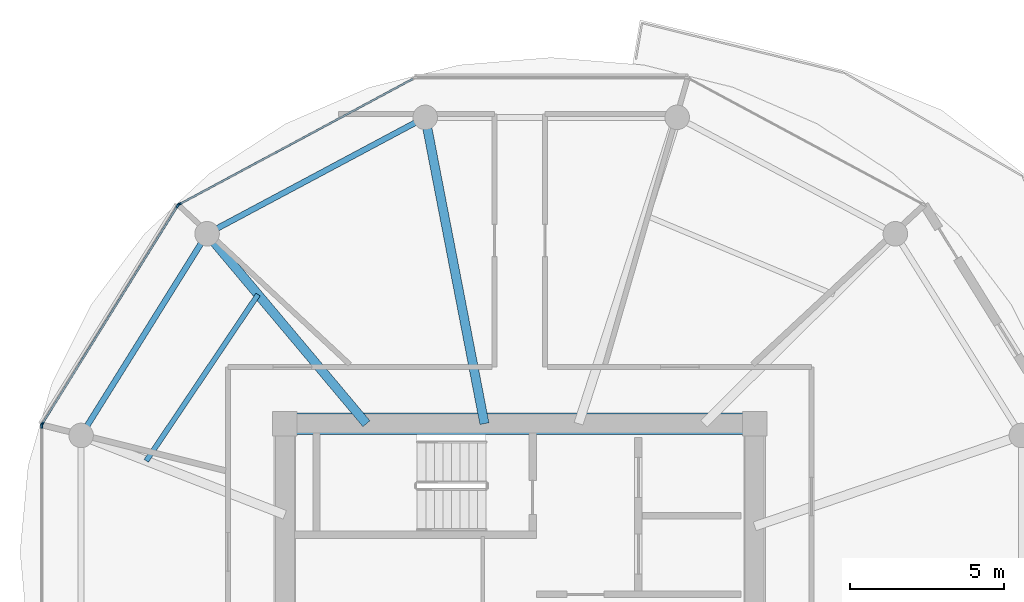
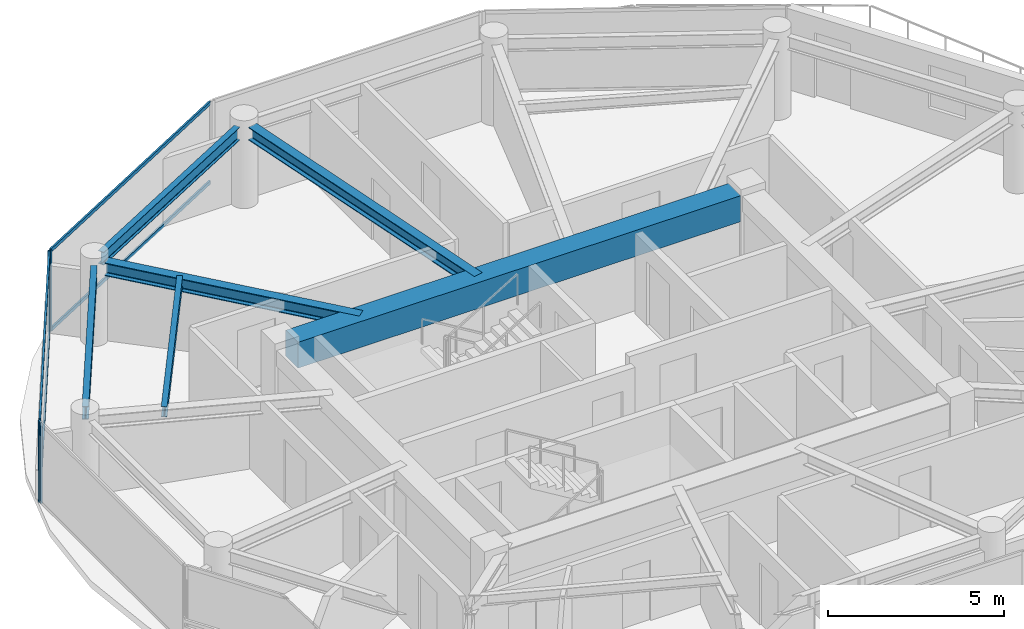
# One storey, part 4 of 22: 8 members, 6 beams, 3 elements without a shape of their own.
"""IFC4 building model written with IfcOpenShell, lengths in metres."""

import ifcopenshell
import ifcopenshell.guid

model = None  # the IFC model being written
_history = None  # IfcOwnerHistory: only IFC2X3 demands one
_inside = {}  # id of a spatial element -> (the spatial element, [elements in it])
_under = {}  # id of a project, library or spatial element -> (it, [spatial elements below it])
_declared = {}  # id of a project -> (the project, [libraries it declares])
_typed = {}  # id of a type object -> (the type object, [elements of that type])
_made_of = {}  # id of a material, layer set ... -> (it, [elements and type objects made of it])


def new_model(schema):
    """Start an empty IFC model of exactly this schema.

    Asked for "IFC4X3", IfcOpenShell would pick the latest addendum, in which some entities
    have other attributes; the version numbers below select the first issue.
    IFC2X3 requires an IfcOwnerHistory on every rooted entity: one is made here for all.
    """
    global model, _history
    if schema == "IFC4X3":
        model = ifcopenshell.file(schema_version=(4, 3, 0, 0))
    else:
        model = ifcopenshell.file(schema=schema)
    _inside.clear()
    _under.clear()
    _declared.clear()
    _typed.clear()
    _made_of.clear()
    _history = None
    if model.schema == "IFC2X3":
        org = make("IfcOrganization", Name="unknown")
        user = make(
            "IfcPersonAndOrganization",
            ThePerson=make("IfcPerson", FamilyName="unknown"),
            TheOrganization=org,
        )
        app = make(
            "IfcApplication",
            ApplicationDeveloper=org,
            Version="unknown",
            ApplicationFullName="unknown",
            ApplicationIdentifier="unknown",
        )
        _history = make(
            "IfcOwnerHistory",
            OwningUser=user,
            OwningApplication=app,
            ChangeAction="ADDED",
            CreationDate=0,
        )
    return model


def make(cls, **values):
    """One entity of the class cls with the attributes given. An attribute that is None is left unset."""
    return model.create_entity(
        cls, **{name: value for name, value in values.items() if value is not None}
    )


def rooted(cls, **values):
    """An entity with a GlobalId (a new one), such as an element, a storey or a relation."""
    return make(cls, GlobalId=ifcopenshell.guid.new(), OwnerHistory=_history, **values)


def si_unit(unit_type, name, prefix=None):
    """IfcSIUnit, for example si_unit("LENGTHUNIT", "METRE", prefix="MILLI")."""
    return make("IfcSIUnit", UnitType=unit_type, Prefix=prefix, Name=name)


def assignment(units):
    """IfcUnitAssignment: the units of a project."""
    return None if units is None else make("IfcUnitAssignment", Units=units)


def point(xyz):
    """IfcCartesianPoint."""
    return None if xyz is None else make("IfcCartesianPoint", Coordinates=xyz)


def direction(xyz):
    """IfcDirection."""
    return None if xyz is None else make("IfcDirection", DirectionRatios=xyz)


def frame(location, z_axis=None, x_axis=None):
    """IfcAxis2Placement3D, a coordinate frame: its origin and axes. An axis left out is left unset."""
    return make(
        "IfcAxis2Placement3D",
        Location=point(location),
        Axis=direction(z_axis),
        RefDirection=direction(x_axis),
    )


def frame_2d(location, x_axis=None):
    """IfcAxis2Placement2D, a coordinate frame in the plane: its origin and x axis."""
    return make(
        "IfcAxis2Placement2D", Location=point(location), RefDirection=direction(x_axis)
    )


def origin():
    """The frame at (0, 0, 0) with its axes left unset."""
    return frame((0.0, 0.0, 0.0))


def origin_2d():
    """The frame at (0, 0) in the plane with its x axis left unset."""
    return frame_2d((0.0, 0.0))


def place(relative_to, where):
    """IfcLocalPlacement: puts the frame where relative to a parent placement (None: the world)."""
    return make(
        "IfcLocalPlacement", PlacementRelTo=relative_to, RelativePlacement=where
    )


def context(
    kind, dimensions, precision=None, world=None, true_north=None, identifier=None
):
    """IfcGeometricRepresentationContext, for example the 3D "Model" context."""
    return make(
        "IfcGeometricRepresentationContext",
        ContextIdentifier=identifier,
        ContextType=kind,
        CoordinateSpaceDimension=dimensions,
        Precision=precision,
        WorldCoordinateSystem=world,
        TrueNorth=true_north,
    )


def subcontext(parent, identifier, kind, view, scale=None):
    """IfcGeometricRepresentationSubContext, for example "Body" below "Model"."""
    return make(
        "IfcGeometricRepresentationSubContext",
        ContextIdentifier=identifier,
        ContextType=kind,
        ParentContext=parent,
        TargetScale=scale,
        TargetView=view,
    )


def project(units=None, contexts=None):
    """IfcProject with its units and contexts."""
    return rooted(
        "IfcProject",
        Name="project",
        RepresentationContexts=contexts,
        UnitsInContext=assignment(units),
    )


def spatial(cls, under=None, at=None, **own):
    """A site, building, storey or space (cls), placed at a placement, below another one or the project."""
    s = rooted(cls, ObjectPlacement=at, **own)
    if under is not None:
        _under.setdefault(under.id(), (under, []))[1].append(s)
    return s


def profile(cls, at=None, kind="AREA", **sizes):
    """A parametric profile (cls). Its sizes go by their IFC names, for example OverallWidth=200.0."""
    return make(cls, ProfileType=kind, Position=at, **sizes)


def rectangle(**sizes):
    """IfcRectangleProfileDef."""
    return profile("IfcRectangleProfileDef", **sizes)


def i_section(**sizes):
    """IfcIShapeProfileDef."""
    return profile("IfcIShapeProfileDef", **sizes)


def extrude(swept, where, along, depth):
    """IfcExtrudedAreaSolid: the profile swept, set in the frame where, extruded along a direction by depth."""
    return make(
        "IfcExtrudedAreaSolid",
        SweptArea=swept,
        Position=where,
        ExtrudedDirection=direction(along),
        Depth=depth,
    )


def shape(context_of_items, identifier, shape_type, items):
    """IfcShapeRepresentation: the items that make up one representation, for example the "Body"."""
    return make(
        "IfcShapeRepresentation",
        ContextOfItems=context_of_items,
        RepresentationIdentifier=identifier,
        RepresentationType=shape_type,
        Items=items,
    )


def source(mapping_origin, context_of_items, identifier, shape_type, items):
    """IfcRepresentationMap: a shape defined once, which mapped items show again and again."""
    return make(
        "IfcRepresentationMap",
        MappingOrigin=mapping_origin,
        MappedRepresentation=shape(context_of_items, identifier, shape_type, items),
    )


def transform(
    local_origin,
    x_axis=None,
    y_axis=None,
    z_axis=None,
    scale=None,
    scale2=None,
    scale3=None,
    uniform=True,
):
    """IfcCartesianTransformationOperator3D, or its non-uniform kind. x_axis, y_axis, z_axis: its Axis1, 2, 3."""
    if uniform:
        return make(
            "IfcCartesianTransformationOperator3D",
            Axis1=direction(x_axis),
            Axis2=direction(y_axis),
            LocalOrigin=point(local_origin),
            Scale=scale,
            Axis3=direction(z_axis),
        )
    return make(
        "IfcCartesianTransformationOperator3DnonUniform",
        Axis1=direction(x_axis),
        Axis2=direction(y_axis),
        LocalOrigin=point(local_origin),
        Scale=scale,
        Axis3=direction(z_axis),
        Scale2=scale2,
        Scale3=scale3,
    )


def mapped(mapping_source, mapping_target):
    """IfcMappedItem: shows the shape of a source again, moved by a transform."""
    return make(
        "IfcMappedItem", MappingSource=mapping_source, MappingTarget=mapping_target
    )


def material(Name=None, Category=None):
    """IfcMaterial."""
    return make("IfcMaterial", Name=Name, Category=Category)


def layer(
    of_material, thickness, ventilated=None, Name=None, Category=None, Priority=None
):
    """IfcMaterialLayer: one layer of a wall or slab, of a material (None: an air gap)."""
    return make(
        "IfcMaterialLayer",
        Material=of_material,
        LayerThickness=thickness,
        IsVentilated=ventilated,
        Name=Name,
        Category=Category,
        Priority=Priority,
    )


def layer_set(layers, Name=None):
    """IfcMaterialLayerSet."""
    return make("IfcMaterialLayerSet", MaterialLayers=layers, LayerSetName=Name)


def material_profile(
    of_material, cross_section, Name=None, Category=None, Priority=None
):
    """IfcMaterialProfile: a cross section and its material."""
    return make(
        "IfcMaterialProfile",
        Name=Name,
        Material=of_material,
        Profile=cross_section,
        Priority=Priority,
        Category=Category,
    )


def profile_set(profiles, Name=None, composite=None):
    """IfcMaterialProfileSet."""
    return make(
        "IfcMaterialProfileSet",
        Name=Name,
        MaterialProfiles=profiles,
        CompositeProfile=composite,
    )


def made_of(thing, what):
    """Note that an element or type object is made of a material, layer set ...; save() writes the relation."""
    if what is not None:
        _made_of.setdefault(what.id(), (what, []))[1].append(thing)
    return thing


def type_object(cls, material=None, **own):
    """A type object (cls), such as IfcWallType, which elements share."""
    return made_of(rooted(cls, **own), material)


def type_shapes(of_type, sources):
    """Give a type object the sources (RepresentationMaps) that its elements show as mapped items."""
    of_type.RepresentationMaps = sources


def element(
    cls,
    number,
    at=None,
    inside=None,
    cuts=None,
    type_object=None,
    material=None,
    context=None,
    identifier="Body",
    shape_type=None,
    held_by="IfcProductDefinitionShape",
    body=None,
    shapes=None,
    **own,
):
    """One element of the class cls, such as IfcWall. Its Tag is "e" and its number.

    at: its placement. inside: the storey or other place that contains it. cuts: it is an
    opening in that element (IfcRelVoidsElement). A single representation is given by context,
    identifier, shape_type and body (its items); several are given by shapes. held_by: the class
    of the entity that holds the representations. save() writes the other relations.
    """
    e = rooted(cls, Tag="e%d" % number, ObjectPlacement=at, **own)
    if body is not None:
        shapes = [shape(context, identifier, shape_type, body)]
    if shapes is not None:
        e.Representation = make(held_by, Representations=shapes)
    if inside is not None:
        _inside.setdefault(inside.id(), (inside, []))[1].append(e)
    if cuts is not None:
        rooted(
            "IfcRelVoidsElement", RelatingBuildingElement=cuts, RelatedOpeningElement=e
        )
    if type_object is not None:
        _typed.setdefault(type_object.id(), (type_object, []))[1].append(e)
    return made_of(e, material)


def aggregate(whole, parts):
    """IfcRelAggregates: a whole, such as a stair, and the parts it consists of."""
    return rooted("IfcRelAggregates", RelatingObject=whole, RelatedObjects=parts)


def save(model, path):
    """Write the relations noted so far, then the file.

    IfcRelAggregates (storeys below a building ...), IfcRelContainedInSpatialStructure (elements
    in a storey), IfcRelDefinesByType, IfcRelAssociatesMaterial and IfcRelDeclares: one each for
    every whole, place, type object, material and project.
    """
    for whole, parts in _under.values():
        aggregate(whole, parts)
    for where, things in _inside.values():
        rooted(
            "IfcRelContainedInSpatialStructure",
            RelatedElements=things,
            RelatingStructure=where,
        )
    for kind, things in _typed.values():
        rooted("IfcRelDefinesByType", RelatedObjects=things, RelatingType=kind)
    for what, things in _made_of.values():
        rooted("IfcRelAssociatesMaterial", RelatedObjects=things, RelatingMaterial=what)
    for by, libraries in _declared.values():
        rooted("IfcRelDeclares", RelatingContext=by, RelatedDefinitions=libraries)
    model.write(path)


model = new_model("IFC4")

# Units and contexts
model_context = context("Model", 3, precision=1e-05, world=origin(), true_north=direction((0.0, 1.0)))
body_context = subcontext(model_context, "Body", "Model", "MODEL_VIEW")
ifc_project = project(units=[si_unit("LENGTHUNIT", "METRE"), si_unit("AREAUNIT", "SQUARE_METRE"), si_unit("VOLUMEUNIT", "CUBIC_METRE"), si_unit("PLANEANGLEUNIT", "RADIAN"), si_unit("MASSUNIT", "GRAM", prefix="KILO")], contexts=[model_context])

# Site, building, storey
site_placement = place(None, origin())
site = spatial("IfcSite", under=ifc_project, at=site_placement, CompositionType="ELEMENT")
building_placement = place(site_placement, origin())
building = spatial("IfcBuilding", under=site, at=building_placement, Name="Norrkilde Senior Care Towers", CompositionType="ELEMENT")
storey_placement = place(building_placement, frame((0.0, 0.0, 137.35009765625)))
storey = spatial("IfcBuildingStorey", under=building, at=storey_placement, Name="L42", CompositionType="ELEMENT", Elevation=137.35009765625)

# Beams
ifc_material_1 = material(Name="Concrete C60/75", Category="concrete")
ifc_material_profile_1 = material_profile(ifc_material_1, rectangle(XDim=0.699951171875, YDim=0.89990234375, at=origin_2d()), Name="RC BM 700x900")
ifc_profile_set_1 = profile_set([ifc_material_profile_1], Name="Concrete C60/75")
beam_type_1 = type_object("IfcBeamType", Name="Core Coupling Girder 700x900", PredefinedType="USERDEFINED", material=ifc_profile_set_1)
shared_shape_1 = source(origin(), body_context, "Body", "SweptSolid", [
    extrude(rectangle(XDim=0.699951171875, YDim=0.89990234375, at=origin_2d()), origin(), (0.0, 0.0, 1.0), 14.5400390625),
])
type_shapes(beam_type_1, [shared_shape_1])
beam_1_placement = place(storey_placement, frame((-35.27001953125, 5.949951171875, 2.35986328125), z_axis=(1.0, 0.0, 0.0), x_axis=(0.0, 1.0, 0.0)))
element("IfcBeam", 1, at=beam_1_placement, inside=storey, type_object=beam_type_1, Name="L42 Core W N Coupling Girder", ObjectType="GIRDER", PredefinedType="USERDEFINED", context=body_context, shape_type="MappedRepresentation", body=[
    mapped(shared_shape_1, transform((0.0, 0.0, 0.0), x_axis=(1.0, 0.0, 0.0), y_axis=(0.0, 1.0, 0.0), z_axis=(0.0, 0.0, 1.0), scale=1.0)),
])
ifc_material_2 = material(Name="Steel S355", Category="steel")
ifc_material_profile_2 = material_profile(ifc_material_2, i_section(OverallWidth=0.18994140625, OverallDepth=0.449951171875, WebThickness=0.009521484375, FlangeThickness=0.0146484375, FilletRadius=0.02099609375, at=origin_2d()), Name="IPE 450")
ifc_profile_set_2 = profile_set([ifc_material_profile_2], Name="Steel S355")
beam_type_2 = type_object("IfcBeamType", Name="Perimeter Ring Spandrel Z3 IPE450", PredefinedType="SPANDREL", material=ifc_profile_set_2)
shared_shape_2 = source(origin(), body_context, "Body", "SweptSolid", [
    extrude(i_section(OverallWidth=0.18994140625, OverallDepth=0.449951171875, WebThickness=0.009521484375, FlangeThickness=0.0146484375, FilletRadius=0.02099609375, at=origin_2d()), origin(), (0.0, 0.0, 1.0), 7.0234375),
])
beam_2_placement = place(storey_placement, frame((-38.373291015625, 11.8291015625, 2.5849609375), z_axis=(-0.529789577822, -0.848129119433, 0.0), x_axis=(0.848129119433, -0.529789577822, 0.0)))
element("IfcBeam", 2, at=beam_2_placement, inside=storey, type_object=beam_type_2, Name="L42 Drum W Perimeter Spandrel 05", PredefinedType="SPANDREL", context=body_context, shape_type="MappedRepresentation", body=[
    mapped(shared_shape_2, transform((0.0, 0.0, 0.0), x_axis=(1.0, 0.0, 0.0), y_axis=(0.0, 1.0, 0.0), z_axis=(0.0, 0.0, 1.0), scale=1.0)),
])
shared_shape_3 = source(origin(), body_context, "Body", "SweptSolid", [
    extrude(i_section(OverallWidth=0.18994140625, OverallDepth=0.449951171875, WebThickness=0.009521484375, FlangeThickness=0.0146484375, FilletRadius=0.02099609375, at=origin_2d()), origin(), (0.0, 0.0, 1.0), 7.333740234375),
])
type_shapes(beam_type_2, [shared_shape_2, shared_shape_3])
beam_3_placement = place(storey_placement, frame((-31.394775390625, 15.756591796875, 2.5849609375), z_axis=(-0.882247866069, -0.470785198172, 0.0), x_axis=(0.470785198172, -0.882247866069, 0.0)))
element("IfcBeam", 3, at=beam_3_placement, inside=storey, type_object=beam_type_2, Name="L42 Drum W Perimeter Spandrel 04", PredefinedType="SPANDREL", context=body_context, shape_type="MappedRepresentation", body=[
    mapped(shared_shape_3, transform((0.0, 0.0, 0.0), x_axis=(1.0, 0.0, 0.0), y_axis=(0.0, 1.0, 0.0), z_axis=(0.0, 0.0, 1.0), scale=1.0)),
])
ifc_material_profile_3 = material_profile(ifc_material_2, i_section(OverallWidth=0.300048828125, OverallDepth=0.449951171875, WebThickness=0.013916015625, FlangeThickness=0.02587890625, FilletRadius=0.027099609375, at=origin_2d()), Name="HEB 450")
ifc_profile_set_3 = profile_set([ifc_material_profile_3], Name="Steel S355")
beam_type_3 = type_object("IfcBeamType", Name="Radial Floor Beam Z3 HEB450", PredefinedType="BEAM", material=ifc_profile_set_3)
shared_shape_4 = source(origin(), body_context, "Body", "SweptSolid", [
    extrude(i_section(OverallWidth=0.300048828125, OverallDepth=0.449951171875, WebThickness=0.013916015625, FlangeThickness=0.02587890625, FilletRadius=0.027099609375, at=origin_2d()), origin(), (0.0, 0.0, 1.0), 9.80078125),
])
beam_4_placement = place(storey_placement, frame((-29.149658203125, 5.949951171875, 2.5849609375), z_axis=(-0.189716727661, 0.98183886827, 0.0), x_axis=(-0.98183886827, -0.189716727661, 0.0)))
element("IfcBeam", 4, at=beam_4_placement, inside=storey, type_object=beam_type_3, Name="L42 Drum W Radial Floor Beam 04", PredefinedType="BEAM", context=body_context, shape_type="MappedRepresentation", body=[
    mapped(shared_shape_4, transform((0.0, 0.0, 0.0), x_axis=(1.0, 0.0, 0.0), y_axis=(0.0, 1.0, 0.0), z_axis=(0.0, 0.0, 1.0), scale=1.0)),
])
shared_shape_5 = source(origin(), body_context, "Body", "SweptSolid", [
    extrude(i_section(OverallWidth=0.300048828125, OverallDepth=0.449951171875, WebThickness=0.013916015625, FlangeThickness=0.02587890625, FilletRadius=0.027099609375, at=origin_2d()), origin(), (0.0, 0.0, 1.0), 7.71337890625),
])
type_shapes(beam_type_3, [shared_shape_4, shared_shape_5])
beam_5_placement = place(storey_placement, frame((-32.992919921875, 5.949951171875, 2.5849609375), z_axis=(-0.642808239864, 0.766027131872, 0.0), x_axis=(-0.766027131872, -0.642808239864, 0.0)))
element("IfcBeam", 5, at=beam_5_placement, inside=storey, type_object=beam_type_3, Name="L42 Drum W Radial Floor Beam 05", PredefinedType="BEAM", context=body_context, shape_type="MappedRepresentation", body=[
    mapped(shared_shape_5, transform((0.0, 0.0, 0.0), x_axis=(1.0, 0.0, 0.0), y_axis=(0.0, 1.0, 0.0), z_axis=(0.0, 0.0, 1.0), scale=1.0)),
])
ifc_material_profile_4 = material_profile(ifc_material_2, i_section(OverallWidth=0.169921875, OverallDepth=0.360107421875, WebThickness=0.008056640625, FlangeThickness=0.0126953125, FilletRadius=0.01806640625, at=origin_2d()), Name="IPE 360")
ifc_profile_set_4 = profile_set([ifc_material_profile_4], Name="Steel S355")
beam_type_4 = type_object("IfcBeamType", Name="Secondary Floor Joist IPE360", PredefinedType="JOIST", material=ifc_profile_set_4)
shared_shape_6 = source(origin(), body_context, "Body", "SweptSolid", [
    extrude(i_section(OverallWidth=0.169921875, OverallDepth=0.360107421875, WebThickness=0.008056640625, FlangeThickness=0.0126953125, FilletRadius=0.01806640625, at=origin_2d()), origin(), (0.0, 0.0, 1.0), 6.525390625),
])
type_shapes(beam_type_4, [shared_shape_6])
beam_6_placement = place(storey_placement, frame((-36.52197265625, 10.155517578125, 2.6298828125), z_axis=(-0.55779590102, -0.829978152005, 0.0), x_axis=(0.829978152005, -0.55779590102, 0.0)))
element("IfcBeam", 6, at=beam_6_placement, inside=storey, type_object=beam_type_4, Name="L42 Drum W Secondary Floor Joist 2", PredefinedType="JOIST", context=body_context, shape_type="MappedRepresentation", body=[
    mapped(shared_shape_6, transform((0.0, 0.0, 0.0), x_axis=(1.0, 0.0, 0.0), y_axis=(0.0, 1.0, 0.0), z_axis=(0.0, 0.0, 1.0), scale=1.0)),
])

# Curtain wall, members
ifc_material_3 = material(Name="Triple Low-E Insulated Glazing", Category="glass")
ifc_layer = layer(ifc_material_3, 0.18994140625)
ifc_layer_set = layer_set([ifc_layer], Name="Triple Low-E Insulated Glazing")
curtain_wall_type = type_object("IfcCurtainWallType", Name="CW4 Zone 3 Senior Residence Curtain Wall", PredefinedType="NOTDEFINED", material=ifc_layer_set)
curtain_wall_1_placement = place(storey_placement, origin())
curtain_wall_1 = element("IfcCurtainWall", 7, at=curtain_wall_1_placement, inside=storey, type_object=curtain_wall_type, Name="L42 Drum W Curtain Wall 04", PredefinedType="NOTDEFINED")
ifc_material_4 = material(Name="Anodised Aluminium", Category="aluminium")
ifc_material_profile_5 = material_profile(ifc_material_4, rectangle(XDim=0.06005859375, YDim=0.1201171875, at=origin_2d()), Name="ALU TRAN 60x120")
ifc_profile_set_5 = profile_set([ifc_material_profile_5], Name="Anodised Aluminium")
member_type_1 = type_object("IfcMemberType", Name="Curtain Wall Transom Typical 60x120", PredefinedType="USERDEFINED", material=ifc_profile_set_5)
shared_shape_7 = source(origin(), body_context, "Body", "SweptSolid", [
    extrude(rectangle(XDim=0.06005859375, YDim=0.1201171875, at=origin_2d()), origin(), (0.0, 0.0, 1.0), 8.301513671875),
])
member_1_placement = place(storey_placement, frame((-43.535400390625, 5.966552734375, 0.02978515625), z_axis=(0.527368718394, 0.849636531029, 0.0), x_axis=(-0.849636531029, 0.527368718394, 0.0)))
member_1 = element("IfcMember", 8, at=member_1_placement, type_object=member_type_1, Name="CW-4 transom 1.1", ObjectType="TRANSOM", PredefinedType="USERDEFINED", context=body_context, shape_type="MappedRepresentation", body=[
    mapped(shared_shape_7, transform((0.0, 0.0, 0.0), x_axis=(1.0, 0.0, 0.0), y_axis=(0.0, 1.0, 0.0), z_axis=(0.0, 0.0, 1.0), scale=1.0)),
])
member_2_placement = place(storey_placement, frame((-43.535400390625, 5.966552734375, 2.77978515625), z_axis=(0.527368718394, 0.849636531029, 0.0), x_axis=(-0.849636531029, 0.527368718394, 0.0)))
member_2 = element("IfcMember", 9, at=member_2_placement, type_object=member_type_1, Name="CW-4 transom 1.2", ObjectType="TRANSOM", PredefinedType="USERDEFINED", context=body_context, shape_type="MappedRepresentation", body=[
    mapped(shared_shape_7, transform((0.0, 0.0, 0.0), x_axis=(1.0, 0.0, 0.0), y_axis=(0.0, 1.0, 0.0), z_axis=(0.0, 0.0, 1.0), scale=1.0)),
])

curtain_wall_2_placement = place(storey_placement, origin())
curtain_wall_2 = element("IfcCurtainWall", 10, at=curtain_wall_2_placement, inside=storey, type_object=curtain_wall_type, Name="L42 Drum W Curtain Wall 03", PredefinedType="NOTDEFINED")
shared_shape_8 = source(origin(), body_context, "Body", "SweptSolid", [
    extrude(rectangle(XDim=0.06005859375, YDim=0.1201171875, at=origin_2d()), origin(), (0.0, 0.0, 1.0), 8.612060546875),
])
type_shapes(member_type_1, [shared_shape_7, shared_shape_8])
member_3_placement = place(storey_placement, frame((-39.06591796875, 13.105712890625, 0.02978515625), z_axis=(0.881000337462, 0.473115636384, 0.0), x_axis=(-0.473115636384, 0.881000337462, 0.0)))
member_3 = element("IfcMember", 11, at=member_3_placement, type_object=member_type_1, Name="CW-4 transom 1.1", ObjectType="TRANSOM", PredefinedType="USERDEFINED", context=body_context, shape_type="MappedRepresentation", body=[
    mapped(shared_shape_8, transform((0.0, 0.0, 0.0), x_axis=(1.0, 0.0, 0.0), y_axis=(0.0, 1.0, 0.0), z_axis=(0.0, 0.0, 1.0), scale=1.0)),
])
member_4_placement = place(storey_placement, frame((-39.06591796875, 13.105712890625, 2.77978515625), z_axis=(0.881000337462, 0.473115636384, 0.0), x_axis=(-0.473115636384, 0.881000337462, 0.0)))
member_4 = element("IfcMember", 12, at=member_4_placement, type_object=member_type_1, Name="CW-4 transom 1.2", ObjectType="TRANSOM", PredefinedType="USERDEFINED", context=body_context, shape_type="MappedRepresentation", body=[
    mapped(shared_shape_8, transform((0.0, 0.0, 0.0), x_axis=(1.0, 0.0, 0.0), y_axis=(0.0, 1.0, 0.0), z_axis=(0.0, 0.0, 1.0), scale=1.0)),
])
ifc_material_profile_6 = material_profile(ifc_material_4, rectangle(XDim=0.06494140625, YDim=0.14990234375, at=origin_2d()), Name="ALU MULL 65x150")
ifc_profile_set_6 = profile_set([ifc_material_profile_6], Name="Anodised Aluminium")
member_type_2 = type_object("IfcMemberType", Name="Curtain Wall Mullion Z3-Z4 65x150", PredefinedType="MULLION", material=ifc_profile_set_6)
shared_shape_9 = source(origin(), body_context, "Body", "SweptSolid", [
    extrude(rectangle(XDim=0.06494140625, YDim=0.14990234375, at=origin_2d()), origin(), (0.0, 0.0, 1.0), 2.809814453125),
])
type_shapes(member_type_2, [shared_shape_9])
member_5_placement = place(storey_placement, frame((-39.094482421875, 13.09033203125, 0.0), z_axis=(0.0, 0.0, 1.0), x_axis=(-0.47311715104, 0.880999524059, 0.0)))
member_5 = element("IfcMember", 13, at=member_5_placement, type_object=member_type_2, Name="CW-4 mullion 1", PredefinedType="MULLION", context=body_context, shape_type="MappedRepresentation", body=[
    mapped(shared_shape_9, transform((0.0, 0.0, 0.0), x_axis=(1.0, 0.0, 0.0), y_axis=(0.0, 1.0, 0.0), z_axis=(0.0, 0.0, 1.0), scale=1.0)),
])
aggregate(curtain_wall_2, [member_5, member_3, member_4])

# Member
member_6_placement = place(storey_placement, frame((-43.552490234375, 5.93896484375, 0.0), z_axis=(0.0, 0.0, 1.0), x_axis=(-0.84963405474, 0.52737270789, 0.0)))
member_6 = element("IfcMember", 14, at=member_6_placement, type_object=member_type_2, Name="CW-4 mullion 1", PredefinedType="MULLION", context=body_context, shape_type="MappedRepresentation", body=[
    mapped(shared_shape_9, transform((0.0, 0.0, 0.0), x_axis=(1.0, 0.0, 0.0), y_axis=(0.0, 1.0, 0.0), z_axis=(0.0, 0.0, 1.0), scale=1.0)),
])

member_7_placement = place(storey_placement, frame((-39.14013671875, 13.04736328125, 0.0), z_axis=(0.0, 0.0, 1.0), x_axis=(-0.84963405474, 0.52737270789, 0.0)))
member_7 = element("IfcMember", 15, at=member_7_placement, type_object=member_type_2, Name="CW-4 mullion 2", PredefinedType="MULLION", context=body_context, shape_type="MappedRepresentation", body=[
    mapped(shared_shape_9, transform((0.0, 0.0, 0.0), x_axis=(1.0, 0.0, 0.0), y_axis=(0.0, 1.0, 0.0), z_axis=(0.0, 0.0, 1.0), scale=1.0)),
])

aggregate(curtain_wall_1, [member_6, member_7, member_1, member_2])

# Curtain wall, member
curtain_wall_3_placement = place(storey_placement, origin())
curtain_wall_3 = element("IfcCurtainWall", 16, at=curtain_wall_3_placement, inside=storey, type_object=curtain_wall_type, Name="L42 Drum W Curtain Wall 05", PredefinedType="NOTDEFINED")
member_8_placement = place(storey_placement, frame((-43.569580078125, 5.878662109375, 0.0), z_axis=(0.0, 0.0, 1.0), x_axis=(-1.0, 0.0, 0.0)))
member_8 = element("IfcMember", 17, at=member_8_placement, type_object=member_type_2, Name="CW-4 mullion 2", PredefinedType="MULLION", context=body_context, shape_type="MappedRepresentation", body=[
    mapped(shared_shape_9, transform((0.0, 0.0, 0.0), x_axis=(1.0, 0.0, 0.0), y_axis=(0.0, 1.0, 0.0), z_axis=(0.0, 0.0, 1.0), scale=1.0)),
])
aggregate(curtain_wall_3, [member_8])

save(model, "model.ifc")
